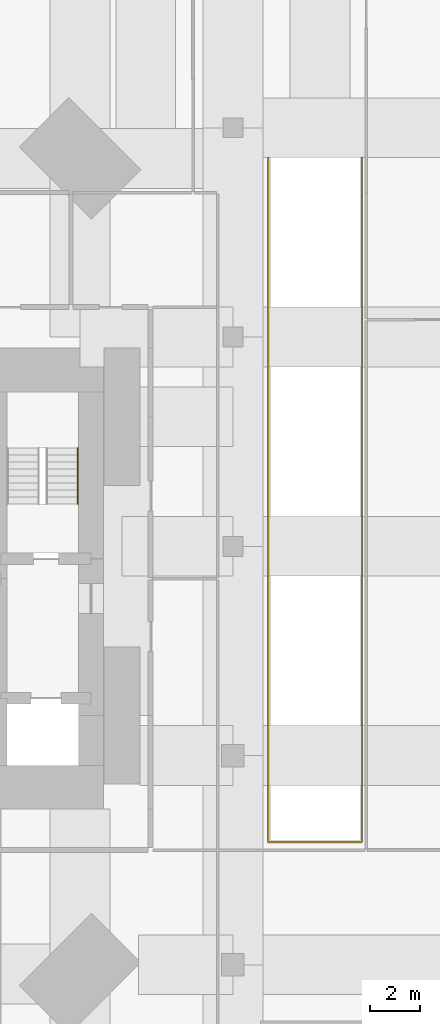
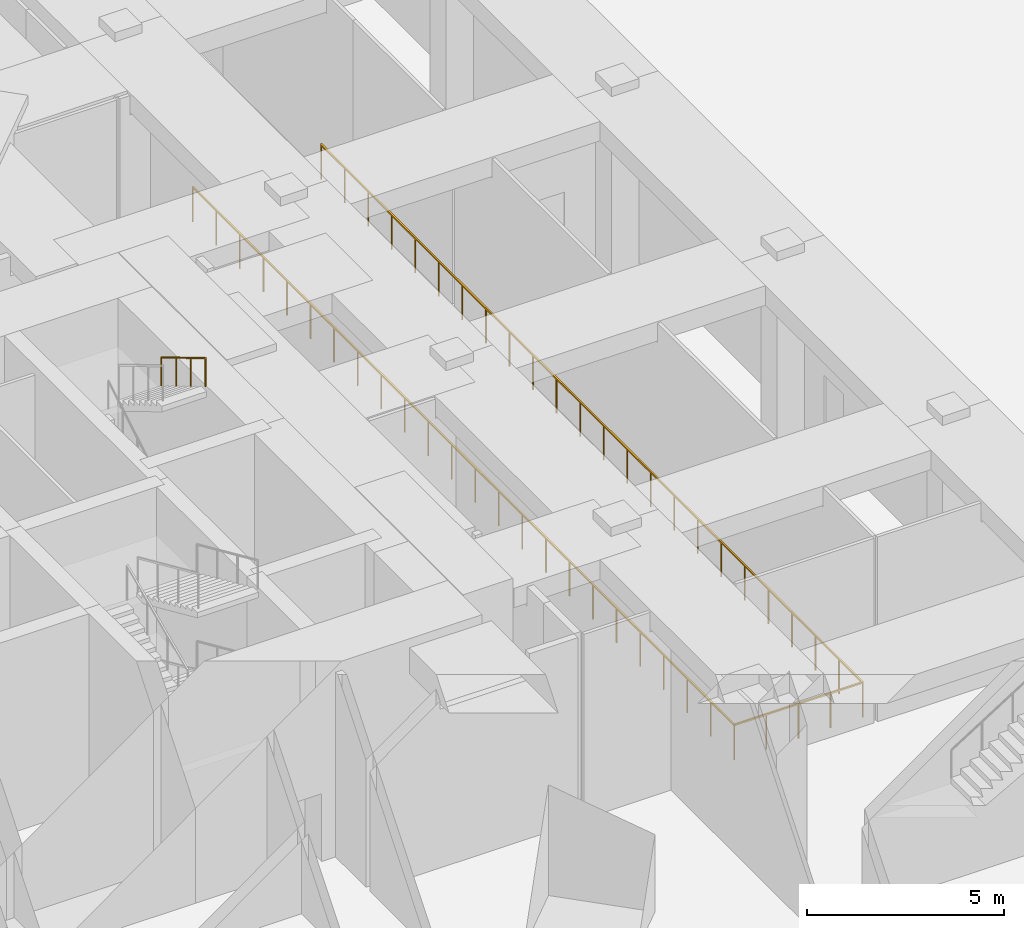
# One storey, part 16 of 17: 2 railings.
"""IFC4 building model written with IfcOpenShell, lengths in metres."""

from ifc_helpers import new_model, si_unit, direction, frame, origin, origin_2d, place, context, subcontext, project, spatial, rectangle, circle, extrude, material, constituent, constituent_set, type_object, element, save


model = new_model("IFC4")

# Units and contexts
model_context = context("Model", 3, precision=1e-05, world=origin(), true_north=direction((0.0, 1.0)))
body_context = subcontext(model_context, "Body", "Model", "MODEL_VIEW")
ifc_project = project(units=[si_unit("LENGTHUNIT", "METRE"), si_unit("AREAUNIT", "SQUARE_METRE"), si_unit("VOLUMEUNIT", "CUBIC_METRE"), si_unit("PLANEANGLEUNIT", "RADIAN"), si_unit("MASSUNIT", "GRAM", prefix="KILO")], contexts=[model_context])

# Site, building, storey
site_placement = place(None, origin())
site = spatial("IfcSite", under=ifc_project, at=site_placement, CompositionType="ELEMENT")
building_placement = place(site_placement, origin())
building = spatial("IfcBuilding", under=site, at=building_placement, Name="Jalousie Tower", CompositionType="ELEMENT")
storey_placement = place(building_placement, origin())
storey = spatial("IfcBuildingStorey", under=building, at=storey_placement, Name="L00", CompositionType="ELEMENT", Elevation=0.0)

# Railings
ifc_material_1 = material(Name="Steel ASTM A500 Grade C", Category="steel")
ifc_constituent_1 = constituent(ifc_material_1, Name="Body")
ifc_material_2 = material(Name="Hot-dip galvanised zinc coating")
ifc_constituent_2 = constituent(ifc_material_2, Name="Finish")
ifc_constituent_set_1 = constituent_set(constituents=[ifc_constituent_1, ifc_constituent_2])
railing_type_1 = type_object("IfcRailingType", Name="RAMP GUARD 1100", PredefinedType="GUARDRAIL", material=ifc_constituent_set_1)
railing_1_placement = place(storey_placement, frame((50.919921875, 35.39990234375, 0.0)))
element("IfcRailing", 1, at=railing_1_placement, inside=storey, type_object=railing_type_1, Name="Ramp opening guard L00", PredefinedType="GUARDRAIL", context=body_context, shape_type="SweptSolid", body=[
    extrude(rectangle(XDim=0.048095703125, YDim=0.048095703125, at=origin_2d()), frame((0.0, 0.0, 1.076171875), z_axis=(0.0, -1.0, 0.0), x_axis=(1.0, 0.0, 0.0)), (0.0, 0.0, 1.0), 27.47998046875),
    extrude(rectangle(XDim=0.048095703125, YDim=0.048095703125, at=origin_2d()), frame((0.0, -27.47998046875, 1.076171875), z_axis=(1.0, 0.0, 0.0), x_axis=(0.0, 1.0, 0.0)), (0.0, 0.0, 1.0), 3.760009765625),
    extrude(rectangle(XDim=0.048095703125, YDim=0.048095703125, at=origin_2d()), frame((3.760009765625, -27.47998046875, 1.076171875), z_axis=(0.0, 1.0, 0.0), x_axis=(-1.0, 0.0, 0.0)), (0.0, 0.0, 1.0), 27.47998046875),
    extrude(circle(Radius=0.02099609375, at=origin_2d()), origin(), (0.0, 0.0, 1.0), 1.052001953125),
    extrude(circle(Radius=0.02099609375, at=origin_2d()), frame((0.0, -1.19482421875, 0.0)), (0.0, 0.0, 1.0), 1.052001953125),
    extrude(circle(Radius=0.02099609375, at=origin_2d()), frame((0.0, -2.3896484375, 0.0)), (0.0, 0.0, 1.0), 1.052001953125),
    extrude(circle(Radius=0.02099609375, at=origin_2d()), frame((0.0, -3.584228515625, 0.0)), (0.0, 0.0, 1.0), 1.052001953125),
    extrude(circle(Radius=0.02099609375, at=origin_2d()), frame((0.0, -4.779052734375, 0.0)), (0.0, 0.0, 1.0), 1.052001953125),
    extrude(circle(Radius=0.02099609375, at=origin_2d()), frame((0.0, -5.973876953125, 0.0)), (0.0, 0.0, 1.0), 1.052001953125),
    extrude(circle(Radius=0.02099609375, at=origin_2d()), frame((0.0, -7.168701171875, 0.0)), (0.0, 0.0, 1.0), 1.052001953125),
    extrude(circle(Radius=0.02099609375, at=origin_2d()), frame((0.0, -8.363525390625, 0.0)), (0.0, 0.0, 1.0), 1.052001953125),
    extrude(circle(Radius=0.02099609375, at=origin_2d()), frame((0.0, -9.558349609375, 0.0)), (0.0, 0.0, 1.0), 1.052001953125),
    extrude(circle(Radius=0.02099609375, at=origin_2d()), frame((0.0, -10.7529296875, 0.0)), (0.0, 0.0, 1.0), 1.052001953125),
    extrude(circle(Radius=0.02099609375, at=origin_2d()), frame((0.0, -11.94775390625, 0.0)), (0.0, 0.0, 1.0), 1.052001953125),
    extrude(circle(Radius=0.02099609375, at=origin_2d()), frame((0.0, -13.142578125, 0.0)), (0.0, 0.0, 1.0), 1.052001953125),
    extrude(circle(Radius=0.02099609375, at=origin_2d()), frame((0.0, -14.33740234375, 0.0)), (0.0, 0.0, 1.0), 1.052001953125),
    extrude(circle(Radius=0.02099609375, at=origin_2d()), frame((0.0, -15.5322265625, 0.0)), (0.0, 0.0, 1.0), 1.052001953125),
    extrude(circle(Radius=0.02099609375, at=origin_2d()), frame((0.0, -16.72705078125, 0.0)), (0.0, 0.0, 1.0), 1.052001953125),
    extrude(circle(Radius=0.02099609375, at=origin_2d()), frame((0.0, -17.921630859375, 0.0)), (0.0, 0.0, 1.0), 1.052001953125),
    extrude(circle(Radius=0.02099609375, at=origin_2d()), frame((0.0, -19.116455078125, 0.0)), (0.0, 0.0, 1.0), 1.052001953125),
    extrude(circle(Radius=0.02099609375, at=origin_2d()), frame((0.0, -20.311279296875, 0.0)), (0.0, 0.0, 1.0), 1.052001953125),
    extrude(circle(Radius=0.02099609375, at=origin_2d()), frame((0.0, -21.506103515625, 0.0)), (0.0, 0.0, 1.0), 1.052001953125),
    extrude(circle(Radius=0.02099609375, at=origin_2d()), frame((0.0, -22.700927734375, 0.0)), (0.0, 0.0, 1.0), 1.052001953125),
    extrude(circle(Radius=0.02099609375, at=origin_2d()), frame((0.0, -23.895751953125, 0.0)), (0.0, 0.0, 1.0), 1.052001953125),
    extrude(circle(Radius=0.02099609375, at=origin_2d()), frame((0.0, -25.09033203125, 0.0)), (0.0, 0.0, 1.0), 1.052001953125),
    extrude(circle(Radius=0.02099609375, at=origin_2d()), frame((0.0, -26.28515625, 0.0)), (0.0, 0.0, 1.0), 1.052001953125),
    extrude(circle(Radius=0.02099609375, at=origin_2d()), frame((0.0, -27.47998046875, 0.0)), (0.0, 0.0, 1.0), 1.052001953125),
    extrude(circle(Radius=0.02099609375, at=origin_2d()), frame((0.93994140625, -27.47998046875, 0.0)), (0.0, 0.0, 1.0), 1.052001953125),
    extrude(circle(Radius=0.02099609375, at=origin_2d()), frame((1.8798828125, -27.47998046875, 0.0)), (0.0, 0.0, 1.0), 1.052001953125),
    extrude(circle(Radius=0.02099609375, at=origin_2d()), frame((2.820068359375, -27.47998046875, 0.0)), (0.0, 0.0, 1.0), 1.052001953125),
    extrude(circle(Radius=0.02099609375, at=origin_2d()), frame((3.760009765625, -27.47998046875, 0.0)), (0.0, 0.0, 1.0), 1.052001953125),
    extrude(circle(Radius=0.02099609375, at=origin_2d()), frame((3.760009765625, -26.28515625, 0.0)), (0.0, 0.0, 1.0), 1.052001953125),
    extrude(circle(Radius=0.02099609375, at=origin_2d()), frame((3.760009765625, -25.09033203125, 0.0)), (0.0, 0.0, 1.0), 1.052001953125),
    extrude(circle(Radius=0.02099609375, at=origin_2d()), frame((3.760009765625, -23.895751953125, 0.0)), (0.0, 0.0, 1.0), 1.052001953125),
    extrude(circle(Radius=0.02099609375, at=origin_2d()), frame((3.760009765625, -22.700927734375, 0.0)), (0.0, 0.0, 1.0), 1.052001953125),
    extrude(circle(Radius=0.02099609375, at=origin_2d()), frame((3.760009765625, -21.506103515625, 0.0)), (0.0, 0.0, 1.0), 1.052001953125),
    extrude(circle(Radius=0.02099609375, at=origin_2d()), frame((3.760009765625, -20.311279296875, 0.0)), (0.0, 0.0, 1.0), 1.052001953125),
    extrude(circle(Radius=0.02099609375, at=origin_2d()), frame((3.760009765625, -19.116455078125, 0.0)), (0.0, 0.0, 1.0), 1.052001953125),
    extrude(circle(Radius=0.02099609375, at=origin_2d()), frame((3.760009765625, -17.921630859375, 0.0)), (0.0, 0.0, 1.0), 1.052001953125),
    extrude(circle(Radius=0.02099609375, at=origin_2d()), frame((3.760009765625, -16.72705078125, 0.0)), (0.0, 0.0, 1.0), 1.052001953125),
    extrude(circle(Radius=0.02099609375, at=origin_2d()), frame((3.760009765625, -15.5322265625, 0.0)), (0.0, 0.0, 1.0), 1.052001953125),
    extrude(circle(Radius=0.02099609375, at=origin_2d()), frame((3.760009765625, -14.33740234375, 0.0)), (0.0, 0.0, 1.0), 1.052001953125),
    extrude(circle(Radius=0.02099609375, at=origin_2d()), frame((3.760009765625, -13.142578125, 0.0)), (0.0, 0.0, 1.0), 1.052001953125),
    extrude(circle(Radius=0.02099609375, at=origin_2d()), frame((3.760009765625, -11.94775390625, 0.0)), (0.0, 0.0, 1.0), 1.052001953125),
    extrude(circle(Radius=0.02099609375, at=origin_2d()), frame((3.760009765625, -10.7529296875, 0.0)), (0.0, 0.0, 1.0), 1.052001953125),
    extrude(circle(Radius=0.02099609375, at=origin_2d()), frame((3.760009765625, -9.558349609375, 0.0)), (0.0, 0.0, 1.0), 1.052001953125),
    extrude(circle(Radius=0.02099609375, at=origin_2d()), frame((3.760009765625, -8.363525390625, 0.0)), (0.0, 0.0, 1.0), 1.052001953125),
    extrude(circle(Radius=0.02099609375, at=origin_2d()), frame((3.760009765625, -7.168701171875, 0.0)), (0.0, 0.0, 1.0), 1.052001953125),
    extrude(circle(Radius=0.02099609375, at=origin_2d()), frame((3.760009765625, -5.973876953125, 0.0)), (0.0, 0.0, 1.0), 1.052001953125),
    extrude(circle(Radius=0.02099609375, at=origin_2d()), frame((3.760009765625, -4.779052734375, 0.0)), (0.0, 0.0, 1.0), 1.052001953125),
    extrude(circle(Radius=0.02099609375, at=origin_2d()), frame((3.760009765625, -3.584228515625, 0.0)), (0.0, 0.0, 1.0), 1.052001953125),
    extrude(circle(Radius=0.02099609375, at=origin_2d()), frame((3.760009765625, -2.3896484375, 0.0)), (0.0, 0.0, 1.0), 1.052001953125),
    extrude(circle(Radius=0.02099609375, at=origin_2d()), frame((3.760009765625, -1.19482421875, 0.0)), (0.0, 0.0, 1.0), 1.052001953125),
    extrude(circle(Radius=0.02099609375, at=origin_2d()), frame((3.760009765625, 0.0, 0.0)), (0.0, 0.0, 1.0), 1.052001953125),
])
ifc_material_3 = material(Name="Steel ASTM A500 Grade C", Category="steel")
ifc_constituent_3 = constituent(ifc_material_3, Name="Body")
ifc_material_4 = material(Name="Hot-dip galvanised zinc coating")
ifc_constituent_4 = constituent(ifc_material_4, Name="Finish")
ifc_constituent_set_2 = constituent_set(constituents=[ifc_constituent_3, ifc_constituent_4])
railing_type_2 = type_object("IfcRailingType", Name="STAIR HANDRAIL 900", PredefinedType="HANDRAIL", material=ifc_constituent_set_2)
railing_2_placement = place(storey_placement, frame((43.27001953125, 23.742431640625, 4.666748046875)))
element("IfcRailing", 2, at=railing_2_placement, inside=storey, type_object=railing_type_2, Name="Exit stair B handrail L00 flight 4", PredefinedType="HANDRAIL", context=body_context, shape_type="SweptSolid", body=[
    extrude(circle(Radius=0.02392578125, at=origin_2d()), frame((0.0, 0.0, 0.8759765625), z_axis=(0.0, -0.859305625298, 0.511462454469), x_axis=(1.0, 0.0, 0.0)), (0.0, 0.0, 1.0), 2.606689453125),
    extrude(circle(Radius=0.02099609375, at=origin_2d()), origin(), (0.0, 0.0, 1.0), 0.851806640625),
    extrude(circle(Radius=0.02099609375, at=origin_2d()), frame((0.0, -0.74658203125, 0.4443359375)), (0.0, 0.0, 1.0), 0.851806640625),
    extrude(circle(Radius=0.02099609375, at=origin_2d()), frame((0.0, -1.493408203125, 0.888916015625)), (0.0, 0.0, 1.0), 0.851806640625),
    extrude(circle(Radius=0.02099609375, at=origin_2d()), frame((0.0, -2.239990234375, 1.333251953125)), (0.0, 0.0, 1.0), 0.851806640625),
])

save(model, "model.ifc")
